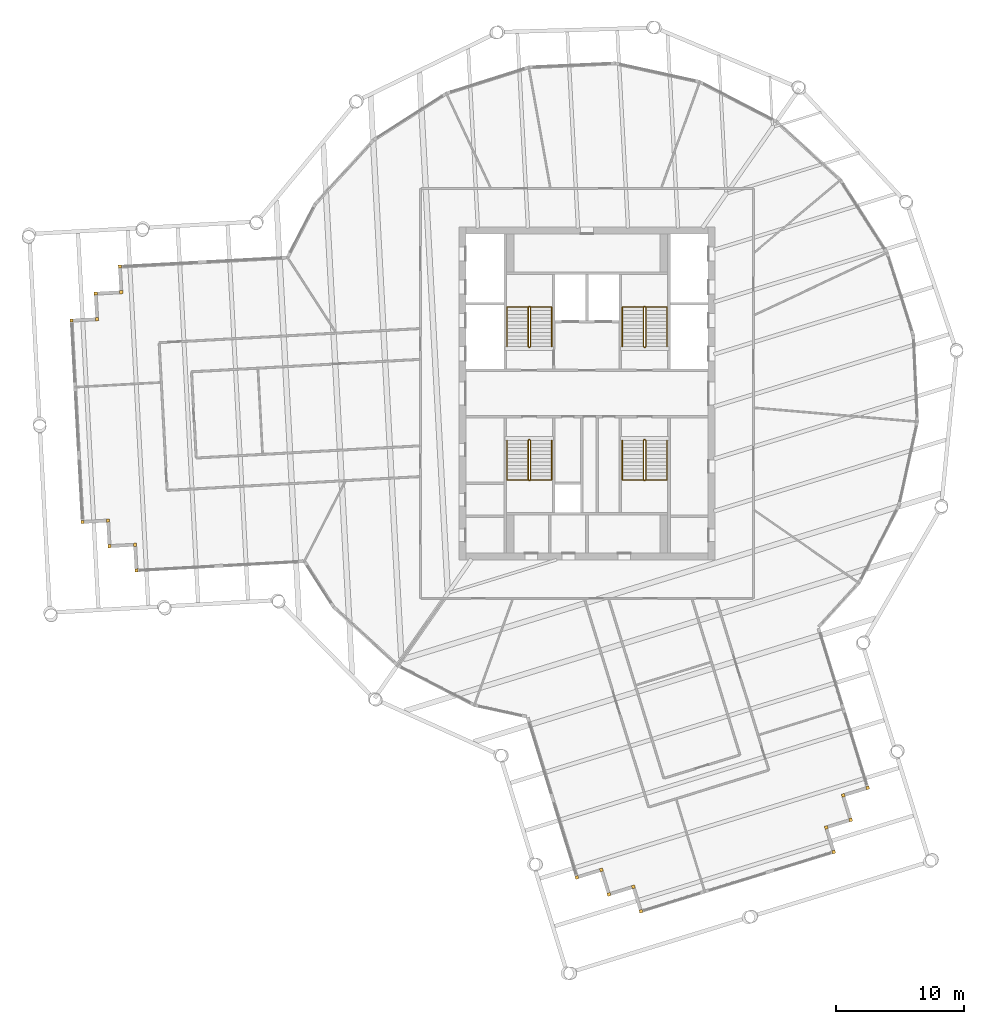
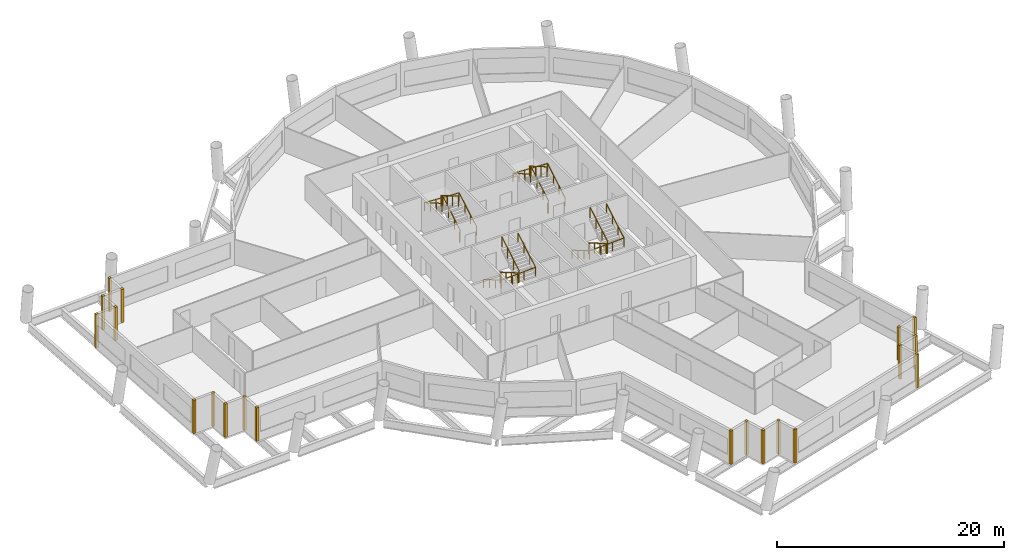
# One storey, part 11 of 11: 20 shading devices, 8 railings.
"""IFC4 building model written with IfcOpenShell, lengths in metres."""

from ifc_helpers import new_model, si_unit, direction, frame, origin, origin_2d, place, context, subcontext, project, spatial, rectangle, circle, extrude, material, type_object, element, save


model = new_model("IFC4")

# Units and contexts
model_context = context("Model", 3, precision=1e-05, world=origin(), true_north=direction((0.0, 1.0)))
body_context = subcontext(model_context, "Body", "Model", "MODEL_VIEW")
ifc_project = project(units=[si_unit("LENGTHUNIT", "METRE"), si_unit("AREAUNIT", "SQUARE_METRE"), si_unit("VOLUMEUNIT", "CUBIC_METRE"), si_unit("PLANEANGLEUNIT", "RADIAN"), si_unit("MASSUNIT", "GRAM", prefix="KILO")], contexts=[model_context])

# Site, building, storey
site_placement = place(None, origin())
site = spatial("IfcSite", under=ifc_project, at=site_placement, CompositionType="ELEMENT")
building_placement = place(site_placement, origin())
building = spatial("IfcBuilding", under=site, at=building_placement, Name="Tarsis Ring Headquarters", CompositionType="ELEMENT")
storey_placement = place(building_placement, frame((0.0, 0.0, 298.10009765625)))
storey = spatial("IfcBuildingStorey", under=building, at=storey_placement, Name="L70", CompositionType="ELEMENT", Elevation=298.10009765625)

# Railings
ifc_material_1 = material(Name="Steel S355", Category="steel")
railing_type_1 = type_object("IfcRailingType", Name="Core stair guard 1100", PredefinedType="GUARDRAIL", material=ifc_material_1)
railing_1_placement = place(storey_placement, frame((-4.5400390625, 3.610107421875, 0.0)))
element("IfcRailing", 1, at=railing_1_placement, inside=storey, type_object=railing_type_1, Name="L70 ST1 stair guard 1", PredefinedType="GUARDRAIL", context=body_context, shape_type="SweptSolid", body=[
    extrude(circle(Radius=0.02392578125, at=origin_2d()), frame((0.0, 0.0, 1.076171875), z_axis=(1.0, 0.0, 0.0), x_axis=(0.0, 1.0, 0.0)), (0.0, 0.0, 1.0), 0.080078125),
    extrude(circle(Radius=0.02392578125, at=origin_2d()), frame((0.080078125, 0.0, 1.076171875), z_axis=(0.282693820306, 0.281314826061, 0.917031173188), x_axis=(-0.705375805398, 0.708833529934, 0.0)), (0.0, 0.0, 1.0), 0.177001953125),
    extrude(circle(Radius=0.02392578125, at=origin_2d()), frame((0.130126953125, 0.0498046875, 1.23828125), z_axis=(0.0, 0.864890721111, 0.501960198159), x_axis=(-1.0, 0.0, 0.0)), (0.0, 0.0, 1.0), 3.561279296875),
    extrude(circle(Radius=0.02392578125, at=origin_2d()), frame((0.130126953125, 3.1298828125, 3.02587890625), z_axis=(-0.707106781187, 0.707106781187, 0.0), x_axis=(-0.707106781187, -0.707106781187, 0.0)), (0.0, 0.0, 1.0), 0.07080078125),
    extrude(circle(Radius=0.02392578125, at=origin_2d()), frame((0.080078125, 3.179931640625, 3.02587890625), z_axis=(-1.0, 0.0, 0.0), x_axis=(0.0, -1.0, 0.0)), (0.0, 0.0, 1.0), 0.080078125),
    extrude(circle(Radius=0.02392578125, at=origin_2d()), frame((0.0, 3.179931640625, 3.02587890625), z_axis=(-0.282583949758, -0.282583949758, 0.916674763849), x_axis=(0.707106781187, -0.707106781187, 0.0)), (0.0, 0.0, 1.0), 0.177001953125),
    extrude(circle(Radius=0.02392578125, at=origin_2d()), frame((-0.050048828125, 3.1298828125, 3.1884765625), z_axis=(0.0, -0.864890721111, 0.501960198159), x_axis=(1.0, 0.0, 0.0)), (0.0, 0.0, 1.0), 3.561279296875),
    extrude(circle(Radius=0.02099609375, at=origin_2d()), origin(), (0.0, 0.0, 1.0), 1.052001953125),
    extrude(circle(Radius=0.02099609375, at=origin_2d()), frame((0.080078125, 0.0, 0.0)), (0.0, 0.0, 1.0), 1.052001953125),
    extrude(circle(Radius=0.02099609375, at=origin_2d()), frame((0.130126953125, 0.0498046875, 0.162353515625)), (0.0, 0.0, 1.0), 1.052001953125),
    extrude(circle(Radius=0.02099609375, at=origin_2d()), frame((0.130126953125, 1.076416015625, 0.75830078125)), (0.0, 0.0, 1.0), 1.052001953125),
    extrude(circle(Radius=0.02099609375, at=origin_2d()), frame((0.130126953125, 2.103271484375, 1.35400390625)), (0.0, 0.0, 1.0), 1.052001953125),
    extrude(circle(Radius=0.02099609375, at=origin_2d()), frame((0.130126953125, 3.1298828125, 1.949951171875)), (0.0, 0.0, 1.0), 1.052001953125),
    extrude(circle(Radius=0.02099609375, at=origin_2d()), frame((0.080078125, 3.179931640625, 1.949951171875)), (0.0, 0.0, 1.0), 1.052001953125),
    extrude(circle(Radius=0.02099609375, at=origin_2d()), frame((0.0, 3.179931640625, 1.949951171875)), (0.0, 0.0, 1.0), 1.052001953125),
    extrude(circle(Radius=0.02099609375, at=origin_2d()), frame((-0.050048828125, 3.1298828125, 2.1123046875)), (0.0, 0.0, 1.0), 1.052001953125),
    extrude(circle(Radius=0.02099609375, at=origin_2d()), frame((-0.050048828125, 2.103271484375, 2.708251953125)), (0.0, 0.0, 1.0), 1.052001953125),
    extrude(circle(Radius=0.02099609375, at=origin_2d()), frame((-0.050048828125, 1.076416015625, 3.303955078125)), (0.0, 0.0, 1.0), 1.052001953125),
    extrude(circle(Radius=0.02099609375, at=origin_2d()), frame((-0.050048828125, 0.0498046875, 3.89990234375)), (0.0, 0.0, 1.0), 1.052001953125),
])
railing_2_placement = place(storey_placement, frame((4.4599609375, 3.610107421875, 0.0)))
element("IfcRailing", 2, at=railing_2_placement, inside=storey, type_object=railing_type_1, Name="L70 ST2 stair guard 1", PredefinedType="GUARDRAIL", context=body_context, shape_type="SweptSolid", body=[
    extrude(circle(Radius=0.02392578125, at=origin_2d()), frame((0.0, 0.0, 1.076171875), z_axis=(1.0, 0.0, 0.0), x_axis=(0.0, 1.0, 0.0)), (0.0, 0.0, 1.0), 0.080078125),
    extrude(circle(Radius=0.02392578125, at=origin_2d()), frame((0.080078125, 0.0, 1.076171875), z_axis=(0.282693820306, 0.281314826061, 0.917031173188), x_axis=(-0.705375805398, 0.708833529934, 0.0)), (0.0, 0.0, 1.0), 0.177001953125),
    extrude(circle(Radius=0.02392578125, at=origin_2d()), frame((0.130126953125, 0.0498046875, 1.23828125), z_axis=(0.0, 0.864890721111, 0.501960198159), x_axis=(-1.0, 0.0, 0.0)), (0.0, 0.0, 1.0), 3.561279296875),
    extrude(circle(Radius=0.02392578125, at=origin_2d()), frame((0.130126953125, 3.1298828125, 3.02587890625), z_axis=(-0.707106781187, 0.707106781187, 0.0), x_axis=(-0.707106781187, -0.707106781187, 0.0)), (0.0, 0.0, 1.0), 0.07080078125),
    extrude(circle(Radius=0.02392578125, at=origin_2d()), frame((0.080078125, 3.179931640625, 3.02587890625), z_axis=(-1.0, 0.0, 0.0), x_axis=(0.0, -1.0, 0.0)), (0.0, 0.0, 1.0), 0.080078125),
    extrude(circle(Radius=0.02392578125, at=origin_2d()), frame((0.0, 3.179931640625, 3.02587890625), z_axis=(-0.282583949758, -0.282583949758, 0.916674763849), x_axis=(0.707106781187, -0.707106781187, 0.0)), (0.0, 0.0, 1.0), 0.177001953125),
    extrude(circle(Radius=0.02392578125, at=origin_2d()), frame((-0.050048828125, 3.1298828125, 3.1884765625), z_axis=(0.0, -0.864890721111, 0.501960198159), x_axis=(1.0, 0.0, 0.0)), (0.0, 0.0, 1.0), 3.561279296875),
    extrude(circle(Radius=0.02099609375, at=origin_2d()), origin(), (0.0, 0.0, 1.0), 1.052001953125),
    extrude(circle(Radius=0.02099609375, at=origin_2d()), frame((0.080078125, 0.0, 0.0)), (0.0, 0.0, 1.0), 1.052001953125),
    extrude(circle(Radius=0.02099609375, at=origin_2d()), frame((0.130126953125, 0.0498046875, 0.162353515625)), (0.0, 0.0, 1.0), 1.052001953125),
    extrude(circle(Radius=0.02099609375, at=origin_2d()), frame((0.130126953125, 1.076416015625, 0.75830078125)), (0.0, 0.0, 1.0), 1.052001953125),
    extrude(circle(Radius=0.02099609375, at=origin_2d()), frame((0.130126953125, 2.103271484375, 1.35400390625)), (0.0, 0.0, 1.0), 1.052001953125),
    extrude(circle(Radius=0.02099609375, at=origin_2d()), frame((0.130126953125, 3.1298828125, 1.949951171875)), (0.0, 0.0, 1.0), 1.052001953125),
    extrude(circle(Radius=0.02099609375, at=origin_2d()), frame((0.080078125, 3.179931640625, 1.949951171875)), (0.0, 0.0, 1.0), 1.052001953125),
    extrude(circle(Radius=0.02099609375, at=origin_2d()), frame((0.0, 3.179931640625, 1.949951171875)), (0.0, 0.0, 1.0), 1.052001953125),
    extrude(circle(Radius=0.02099609375, at=origin_2d()), frame((-0.050048828125, 3.1298828125, 2.1123046875)), (0.0, 0.0, 1.0), 1.052001953125),
    extrude(circle(Radius=0.02099609375, at=origin_2d()), frame((-0.050048828125, 2.103271484375, 2.708251953125)), (0.0, 0.0, 1.0), 1.052001953125),
    extrude(circle(Radius=0.02099609375, at=origin_2d()), frame((-0.050048828125, 1.076416015625, 3.303955078125)), (0.0, 0.0, 1.0), 1.052001953125),
    extrude(circle(Radius=0.02099609375, at=origin_2d()), frame((-0.050048828125, 0.0498046875, 3.89990234375)), (0.0, 0.0, 1.0), 1.052001953125),
])
railing_3_placement = place(storey_placement, frame((-4.4599609375, -3.610107421875, 0.0)))
element("IfcRailing", 3, at=railing_3_placement, inside=storey, type_object=railing_type_1, Name="L70 ST3 stair guard 1", PredefinedType="GUARDRAIL", context=body_context, shape_type="SweptSolid", body=[
    extrude(circle(Radius=0.02392578125, at=origin_2d()), frame((0.0, 0.0, 1.076171875), z_axis=(-1.0, 0.0, 0.0), x_axis=(0.0, -1.0, 0.0)), (0.0, 0.0, 1.0), 0.080078125),
    extrude(circle(Radius=0.02392578125, at=origin_2d()), frame((-0.080078125, 0.0, 1.076171875), z_axis=(-0.282693820306, -0.281314826061, 0.917031173188), x_axis=(0.705375805398, -0.708833529934, 0.0)), (0.0, 0.0, 1.0), 0.177001953125),
    extrude(circle(Radius=0.02392578125, at=origin_2d()), frame((-0.130126953125, -0.0498046875, 1.23828125), z_axis=(0.0, -0.864890721111, 0.501960198159), x_axis=(1.0, 0.0, 0.0)), (0.0, 0.0, 1.0), 3.561279296875),
    extrude(circle(Radius=0.02392578125, at=origin_2d()), frame((-0.130126953125, -3.1298828125, 3.02587890625), z_axis=(0.707106781187, -0.707106781187, 0.0), x_axis=(0.707106781187, 0.707106781187, 0.0)), (0.0, 0.0, 1.0), 0.07080078125),
    extrude(circle(Radius=0.02392578125, at=origin_2d()), frame((-0.080078125, -3.179931640625, 3.02587890625), z_axis=(1.0, 0.0, 0.0), x_axis=(0.0, 1.0, 0.0)), (0.0, 0.0, 1.0), 0.080078125),
    extrude(circle(Radius=0.02392578125, at=origin_2d()), frame((0.0, -3.179931640625, 3.02587890625), z_axis=(0.282583949758, 0.282583949758, 0.916674763849), x_axis=(-0.707106781187, 0.707106781187, 0.0)), (0.0, 0.0, 1.0), 0.177001953125),
    extrude(circle(Radius=0.02392578125, at=origin_2d()), frame((0.050048828125, -3.1298828125, 3.1884765625), z_axis=(0.0, 0.864890721111, 0.501960198159), x_axis=(-1.0, 0.0, 0.0)), (0.0, 0.0, 1.0), 3.561279296875),
    extrude(circle(Radius=0.02099609375, at=origin_2d()), origin(), (0.0, 0.0, 1.0), 1.052001953125),
    extrude(circle(Radius=0.02099609375, at=origin_2d()), frame((-0.080078125, 0.0, 0.0)), (0.0, 0.0, 1.0), 1.052001953125),
    extrude(circle(Radius=0.02099609375, at=origin_2d()), frame((-0.130126953125, -0.0498046875, 0.162353515625)), (0.0, 0.0, 1.0), 1.052001953125),
    extrude(circle(Radius=0.02099609375, at=origin_2d()), frame((-0.130126953125, -1.076416015625, 0.75830078125)), (0.0, 0.0, 1.0), 1.052001953125),
    extrude(circle(Radius=0.02099609375, at=origin_2d()), frame((-0.130126953125, -2.103271484375, 1.35400390625)), (0.0, 0.0, 1.0), 1.052001953125),
    extrude(circle(Radius=0.02099609375, at=origin_2d()), frame((-0.130126953125, -3.1298828125, 1.949951171875)), (0.0, 0.0, 1.0), 1.052001953125),
    extrude(circle(Radius=0.02099609375, at=origin_2d()), frame((-0.080078125, -3.179931640625, 1.949951171875)), (0.0, 0.0, 1.0), 1.052001953125),
    extrude(circle(Radius=0.02099609375, at=origin_2d()), frame((0.0, -3.179931640625, 1.949951171875)), (0.0, 0.0, 1.0), 1.052001953125),
    extrude(circle(Radius=0.02099609375, at=origin_2d()), frame((0.050048828125, -3.1298828125, 2.1123046875)), (0.0, 0.0, 1.0), 1.052001953125),
    extrude(circle(Radius=0.02099609375, at=origin_2d()), frame((0.050048828125, -2.103271484375, 2.708251953125)), (0.0, 0.0, 1.0), 1.052001953125),
    extrude(circle(Radius=0.02099609375, at=origin_2d()), frame((0.050048828125, -1.076416015625, 3.303955078125)), (0.0, 0.0, 1.0), 1.052001953125),
    extrude(circle(Radius=0.02099609375, at=origin_2d()), frame((0.050048828125, -0.0498046875, 3.89990234375)), (0.0, 0.0, 1.0), 1.052001953125),
])
railing_4_placement = place(storey_placement, frame((4.5400390625, -3.610107421875, 0.0)))
element("IfcRailing", 4, at=railing_4_placement, inside=storey, type_object=railing_type_1, Name="L70 ST4 stair guard 1", PredefinedType="GUARDRAIL", context=body_context, shape_type="SweptSolid", body=[
    extrude(circle(Radius=0.02392578125, at=origin_2d()), frame((0.0, 0.0, 1.076171875), z_axis=(-1.0, 0.0, 0.0), x_axis=(0.0, -1.0, 0.0)), (0.0, 0.0, 1.0), 0.080078125),
    extrude(circle(Radius=0.02392578125, at=origin_2d()), frame((-0.080078125, 0.0, 1.076171875), z_axis=(-0.282693820306, -0.281314826061, 0.917031173188), x_axis=(0.705375805398, -0.708833529934, 0.0)), (0.0, 0.0, 1.0), 0.177001953125),
    extrude(circle(Radius=0.02392578125, at=origin_2d()), frame((-0.130126953125, -0.0498046875, 1.23828125), z_axis=(0.0, -0.864890721111, 0.501960198159), x_axis=(1.0, 0.0, 0.0)), (0.0, 0.0, 1.0), 3.561279296875),
    extrude(circle(Radius=0.02392578125, at=origin_2d()), frame((-0.130126953125, -3.1298828125, 3.02587890625), z_axis=(0.707106781187, -0.707106781187, 0.0), x_axis=(0.707106781187, 0.707106781187, 0.0)), (0.0, 0.0, 1.0), 0.07080078125),
    extrude(circle(Radius=0.02392578125, at=origin_2d()), frame((-0.080078125, -3.179931640625, 3.02587890625), z_axis=(1.0, 0.0, 0.0), x_axis=(0.0, 1.0, 0.0)), (0.0, 0.0, 1.0), 0.080078125),
    extrude(circle(Radius=0.02392578125, at=origin_2d()), frame((0.0, -3.179931640625, 3.02587890625), z_axis=(0.282583949758, 0.282583949758, 0.916674763849), x_axis=(-0.707106781187, 0.707106781187, 0.0)), (0.0, 0.0, 1.0), 0.177001953125),
    extrude(circle(Radius=0.02392578125, at=origin_2d()), frame((0.050048828125, -3.1298828125, 3.1884765625), z_axis=(0.0, 0.864890721111, 0.501960198159), x_axis=(-1.0, 0.0, 0.0)), (0.0, 0.0, 1.0), 3.561279296875),
    extrude(circle(Radius=0.02099609375, at=origin_2d()), origin(), (0.0, 0.0, 1.0), 1.052001953125),
    extrude(circle(Radius=0.02099609375, at=origin_2d()), frame((-0.080078125, 0.0, 0.0)), (0.0, 0.0, 1.0), 1.052001953125),
    extrude(circle(Radius=0.02099609375, at=origin_2d()), frame((-0.130126953125, -0.0498046875, 0.162353515625)), (0.0, 0.0, 1.0), 1.052001953125),
    extrude(circle(Radius=0.02099609375, at=origin_2d()), frame((-0.130126953125, -1.076416015625, 0.75830078125)), (0.0, 0.0, 1.0), 1.052001953125),
    extrude(circle(Radius=0.02099609375, at=origin_2d()), frame((-0.130126953125, -2.103271484375, 1.35400390625)), (0.0, 0.0, 1.0), 1.052001953125),
    extrude(circle(Radius=0.02099609375, at=origin_2d()), frame((-0.130126953125, -3.1298828125, 1.949951171875)), (0.0, 0.0, 1.0), 1.052001953125),
    extrude(circle(Radius=0.02099609375, at=origin_2d()), frame((-0.080078125, -3.179931640625, 1.949951171875)), (0.0, 0.0, 1.0), 1.052001953125),
    extrude(circle(Radius=0.02099609375, at=origin_2d()), frame((0.0, -3.179931640625, 1.949951171875)), (0.0, 0.0, 1.0), 1.052001953125),
    extrude(circle(Radius=0.02099609375, at=origin_2d()), frame((0.050048828125, -3.1298828125, 2.1123046875)), (0.0, 0.0, 1.0), 1.052001953125),
    extrude(circle(Radius=0.02099609375, at=origin_2d()), frame((0.050048828125, -2.103271484375, 2.708251953125)), (0.0, 0.0, 1.0), 1.052001953125),
    extrude(circle(Radius=0.02099609375, at=origin_2d()), frame((0.050048828125, -1.076416015625, 3.303955078125)), (0.0, 0.0, 1.0), 1.052001953125),
    extrude(circle(Radius=0.02099609375, at=origin_2d()), frame((0.050048828125, -0.0498046875, 3.89990234375)), (0.0, 0.0, 1.0), 1.052001953125),
])
railing_type_2 = type_object("IfcRailingType", Name="Core stair handrail 900", PredefinedType="HANDRAIL", material=ifc_material_1)
railing_5_placement = place(storey_placement, frame((-2.75, 3.659912109375, 0.162353515625)))
element("IfcRailing", 5, at=railing_5_placement, inside=storey, type_object=railing_type_2, Name="L70 ST1 stair handrail 1", PredefinedType="HANDRAIL", context=body_context, shape_type="SweptSolid", body=[
    extrude(circle(Radius=0.02392578125, at=origin_2d()), frame((0.0, 0.0, 0.8759765625), z_axis=(0.0, 0.864890721111, 0.501960198159), x_axis=(-1.0, 0.0, 0.0)), (0.0, 0.0, 1.0), 3.561279296875),
    extrude(circle(Radius=0.02392578125, at=origin_2d()), frame((0.0, 3.080078125, 2.66357421875), z_axis=(-0.998925869279, 0.0, 0.04633689335), x_axis=(0.0, -1.0, 0.0)), (0.0, 0.0, 1.0), 3.503662109375),
    extrude(circle(Radius=0.02392578125, at=origin_2d()), frame((-3.5, 3.080078125, 2.82568359375), z_axis=(0.0, -0.864890721111, 0.501960198159), x_axis=(1.0, 0.0, 0.0)), (0.0, 0.0, 1.0), 3.561279296875),
    extrude(circle(Radius=0.02099609375, at=origin_2d()), origin(), (0.0, 0.0, 1.0), 0.851806640625),
    extrude(circle(Radius=0.02099609375, at=origin_2d()), frame((0.0, 1.026611328125, 0.595947265625)), (0.0, 0.0, 1.0), 0.851806640625),
    extrude(circle(Radius=0.02099609375, at=origin_2d()), frame((0.0, 2.053466796875, 1.191650390625)), (0.0, 0.0, 1.0), 0.851806640625),
    extrude(circle(Radius=0.02099609375, at=origin_2d()), frame((0.0, 3.080078125, 1.78759765625)), (0.0, 0.0, 1.0), 0.851806640625),
    extrude(circle(Radius=0.02099609375, at=origin_2d()), frame((-1.166748046875, 3.080078125, 1.841796875)), (0.0, 0.0, 1.0), 0.851806640625),
    extrude(circle(Radius=0.02099609375, at=origin_2d()), frame((-2.333251953125, 3.080078125, 1.895751953125)), (0.0, 0.0, 1.0), 0.851806640625),
    extrude(circle(Radius=0.02099609375, at=origin_2d()), frame((-3.5, 3.080078125, 1.949951171875)), (0.0, 0.0, 1.0), 0.851806640625),
    extrude(circle(Radius=0.02099609375, at=origin_2d()), frame((-3.5, 2.053466796875, 2.5458984375)), (0.0, 0.0, 1.0), 0.851806640625),
    extrude(circle(Radius=0.02099609375, at=origin_2d()), frame((-3.5, 1.026611328125, 3.1416015625)), (0.0, 0.0, 1.0), 0.851806640625),
    extrude(circle(Radius=0.02099609375, at=origin_2d()), frame((-3.5, 0.0, 3.737548828125)), (0.0, 0.0, 1.0), 0.851806640625),
])
railing_6_placement = place(storey_placement, frame((6.25, 3.659912109375, 0.162353515625)))
element("IfcRailing", 6, at=railing_6_placement, inside=storey, type_object=railing_type_2, Name="L70 ST2 stair handrail 1", PredefinedType="HANDRAIL", context=body_context, shape_type="SweptSolid", body=[
    extrude(circle(Radius=0.02392578125, at=origin_2d()), frame((0.0, 0.0, 0.8759765625), z_axis=(0.0, 0.864890721111, 0.501960198159), x_axis=(-1.0, 0.0, 0.0)), (0.0, 0.0, 1.0), 3.561279296875),
    extrude(circle(Radius=0.02392578125, at=origin_2d()), frame((0.0, 3.080078125, 2.66357421875), z_axis=(-0.998925869279, 0.0, 0.04633689335), x_axis=(0.0, -1.0, 0.0)), (0.0, 0.0, 1.0), 3.503662109375),
    extrude(circle(Radius=0.02392578125, at=origin_2d()), frame((-3.5, 3.080078125, 2.82568359375), z_axis=(0.0, -0.864890721111, 0.501960198159), x_axis=(1.0, 0.0, 0.0)), (0.0, 0.0, 1.0), 3.561279296875),
    extrude(circle(Radius=0.02099609375, at=origin_2d()), origin(), (0.0, 0.0, 1.0), 0.851806640625),
    extrude(circle(Radius=0.02099609375, at=origin_2d()), frame((0.0, 1.026611328125, 0.595947265625)), (0.0, 0.0, 1.0), 0.851806640625),
    extrude(circle(Radius=0.02099609375, at=origin_2d()), frame((0.0, 2.053466796875, 1.191650390625)), (0.0, 0.0, 1.0), 0.851806640625),
    extrude(circle(Radius=0.02099609375, at=origin_2d()), frame((0.0, 3.080078125, 1.78759765625)), (0.0, 0.0, 1.0), 0.851806640625),
    extrude(circle(Radius=0.02099609375, at=origin_2d()), frame((-1.166748046875, 3.080078125, 1.841796875)), (0.0, 0.0, 1.0), 0.851806640625),
    extrude(circle(Radius=0.02099609375, at=origin_2d()), frame((-2.333251953125, 3.080078125, 1.895751953125)), (0.0, 0.0, 1.0), 0.851806640625),
    extrude(circle(Radius=0.02099609375, at=origin_2d()), frame((-3.5, 3.080078125, 1.949951171875)), (0.0, 0.0, 1.0), 0.851806640625),
    extrude(circle(Radius=0.02099609375, at=origin_2d()), frame((-3.5, 2.053466796875, 2.5458984375)), (0.0, 0.0, 1.0), 0.851806640625),
    extrude(circle(Radius=0.02099609375, at=origin_2d()), frame((-3.5, 1.026611328125, 3.1416015625)), (0.0, 0.0, 1.0), 0.851806640625),
    extrude(circle(Radius=0.02099609375, at=origin_2d()), frame((-3.5, 0.0, 3.737548828125)), (0.0, 0.0, 1.0), 0.851806640625),
])
railing_7_placement = place(storey_placement, frame((-6.25, -3.659912109375, 0.162353515625)))
element("IfcRailing", 7, at=railing_7_placement, inside=storey, type_object=railing_type_2, Name="L70 ST3 stair handrail 1", PredefinedType="HANDRAIL", context=body_context, shape_type="SweptSolid", body=[
    extrude(circle(Radius=0.02392578125, at=origin_2d()), frame((0.0, 0.0, 0.8759765625), z_axis=(0.0, -0.864890721111, 0.501960198159), x_axis=(1.0, 0.0, 0.0)), (0.0, 0.0, 1.0), 3.561279296875),
    extrude(circle(Radius=0.02392578125, at=origin_2d()), frame((0.0, -3.080078125, 2.66357421875), z_axis=(0.998925869279, 0.0, 0.04633689335), x_axis=(0.0, 1.0, 0.0)), (0.0, 0.0, 1.0), 3.503662109375),
    extrude(circle(Radius=0.02392578125, at=origin_2d()), frame((3.5, -3.080078125, 2.82568359375), z_axis=(0.0, 0.864890721111, 0.501960198159), x_axis=(-1.0, 0.0, 0.0)), (0.0, 0.0, 1.0), 3.561279296875),
    extrude(circle(Radius=0.02099609375, at=origin_2d()), origin(), (0.0, 0.0, 1.0), 0.851806640625),
    extrude(circle(Radius=0.02099609375, at=origin_2d()), frame((0.0, -1.026611328125, 0.595947265625)), (0.0, 0.0, 1.0), 0.851806640625),
    extrude(circle(Radius=0.02099609375, at=origin_2d()), frame((0.0, -2.053466796875, 1.191650390625)), (0.0, 0.0, 1.0), 0.851806640625),
    extrude(circle(Radius=0.02099609375, at=origin_2d()), frame((0.0, -3.080078125, 1.78759765625)), (0.0, 0.0, 1.0), 0.851806640625),
    extrude(circle(Radius=0.02099609375, at=origin_2d()), frame((1.166748046875, -3.080078125, 1.841796875)), (0.0, 0.0, 1.0), 0.851806640625),
    extrude(circle(Radius=0.02099609375, at=origin_2d()), frame((2.333251953125, -3.080078125, 1.895751953125)), (0.0, 0.0, 1.0), 0.851806640625),
    extrude(circle(Radius=0.02099609375, at=origin_2d()), frame((3.5, -3.080078125, 1.949951171875)), (0.0, 0.0, 1.0), 0.851806640625),
    extrude(circle(Radius=0.02099609375, at=origin_2d()), frame((3.5, -2.053466796875, 2.5458984375)), (0.0, 0.0, 1.0), 0.851806640625),
    extrude(circle(Radius=0.02099609375, at=origin_2d()), frame((3.5, -1.026611328125, 3.1416015625)), (0.0, 0.0, 1.0), 0.851806640625),
    extrude(circle(Radius=0.02099609375, at=origin_2d()), frame((3.5, 0.0, 3.737548828125)), (0.0, 0.0, 1.0), 0.851806640625),
])
railing_8_placement = place(storey_placement, frame((2.75, -3.659912109375, 0.162353515625)))
element("IfcRailing", 8, at=railing_8_placement, inside=storey, type_object=railing_type_2, Name="L70 ST4 stair handrail 1", PredefinedType="HANDRAIL", context=body_context, shape_type="SweptSolid", body=[
    extrude(circle(Radius=0.02392578125, at=origin_2d()), frame((0.0, 0.0, 0.8759765625), z_axis=(0.0, -0.864890721111, 0.501960198159), x_axis=(1.0, 0.0, 0.0)), (0.0, 0.0, 1.0), 3.561279296875),
    extrude(circle(Radius=0.02392578125, at=origin_2d()), frame((0.0, -3.080078125, 2.66357421875), z_axis=(0.998925869279, 0.0, 0.04633689335), x_axis=(0.0, 1.0, 0.0)), (0.0, 0.0, 1.0), 3.503662109375),
    extrude(circle(Radius=0.02392578125, at=origin_2d()), frame((3.5, -3.080078125, 2.82568359375), z_axis=(0.0, 0.864890721111, 0.501960198159), x_axis=(-1.0, 0.0, 0.0)), (0.0, 0.0, 1.0), 3.561279296875),
    extrude(circle(Radius=0.02099609375, at=origin_2d()), origin(), (0.0, 0.0, 1.0), 0.851806640625),
    extrude(circle(Radius=0.02099609375, at=origin_2d()), frame((0.0, -1.026611328125, 0.595947265625)), (0.0, 0.0, 1.0), 0.851806640625),
    extrude(circle(Radius=0.02099609375, at=origin_2d()), frame((0.0, -2.053466796875, 1.191650390625)), (0.0, 0.0, 1.0), 0.851806640625),
    extrude(circle(Radius=0.02099609375, at=origin_2d()), frame((0.0, -3.080078125, 1.78759765625)), (0.0, 0.0, 1.0), 0.851806640625),
    extrude(circle(Radius=0.02099609375, at=origin_2d()), frame((1.166748046875, -3.080078125, 1.841796875)), (0.0, 0.0, 1.0), 0.851806640625),
    extrude(circle(Radius=0.02099609375, at=origin_2d()), frame((2.333251953125, -3.080078125, 1.895751953125)), (0.0, 0.0, 1.0), 0.851806640625),
    extrude(circle(Radius=0.02099609375, at=origin_2d()), frame((3.5, -3.080078125, 1.949951171875)), (0.0, 0.0, 1.0), 0.851806640625),
    extrude(circle(Radius=0.02099609375, at=origin_2d()), frame((3.5, -2.053466796875, 2.5458984375)), (0.0, 0.0, 1.0), 0.851806640625),
    extrude(circle(Radius=0.02099609375, at=origin_2d()), frame((3.5, -1.026611328125, 3.1416015625)), (0.0, 0.0, 1.0), 0.851806640625),
    extrude(circle(Radius=0.02099609375, at=origin_2d()), frame((3.5, 0.0, 3.737548828125)), (0.0, 0.0, 1.0), 0.851806640625),
])

# Shading devices
ifc_material_2 = material(Name="Terracotta baguette", Category="masonry")
shading_device_type = type_object("IfcShadingDeviceType", Name="Terracotta corner baguette 250x250", PredefinedType="USERDEFINED", material=ifc_material_2)
for number, where, z_axis, x_axis, name in (
    (9, (-35.175537109375, -13.81005859375, -0.000244140625), (0.0, 0.0, 1.0), (0.054427504154, -0.998517724826, 0.0), "Corner baguette L70-01"),
    (10, (-0.7880859375, -37.781005859375, -0.000244140625), (0.0, 0.0, 1.0), (0.294373942013, -0.955690317134, 0.0), "Corner baguette L70-07"),
    (11, (1.123291015625, -37.1923828125, -0.000244140625), (0.0, 0.0, 1.0), (0.955690414752, 0.294373625094, 0.0), "Corner baguette L70-08"),
    (12, (1.7119140625, -39.103759765625, -0.000244140625), (0.0, 0.0, 1.0), (0.294373942013, -0.955690317134, 0.0), "Corner baguette L70-09"),
    (13, (3.623291015625, -38.514892578125, -0.000244140625), (0.0, 0.0, 1.0), (0.955690317134, 0.294373942013, 0.0), "Corner baguette L70-10"),
    (14, (4.212158203125, -40.42626953125, -0.000244140625), (0.0, 0.0, 1.0), (0.294374092133, -0.955690270894, 0.0), "Corner baguette L70-11"),
    (15, (19.26416015625, -35.7900390625, -0.000244140625), (0.0, 0.0, 1.0), (0.955690317134, 0.294373942013, 0.0), "Corner baguette L70-12"),
    (16, (18.675537109375, -33.878662109375, -0.000244140625), (0.0, 0.0, 1.0), (-0.294373942013, 0.955690317134, 0.0), "Corner baguette L70-13"),
    (17, (20.5869140625, -33.289794921875, -0.000244140625), (0.0, 0.0, 1.0), (0.955690414752, 0.294373625094, 0.0), "Corner baguette L70-14"),
    (18, (19.998046875, -31.37841796875, -0.000244140625), (0.0, 0.0, 1.0), (-0.294373491655, 0.955690455854, 0.0), "Corner baguette L70-15"),
    (19, (21.909423828125, -30.789794921875, -0.000244140625), (0.0, 0.0, 1.0), (0.955690317134, 0.294373942013, 0.0), "Corner baguette L70-16"),
    (20, (-36.46826171875, 9.90478515625, -0.000244140625), (0.0, 0.0, 1.0), (-0.998517730526, -0.05442739959, 0.0), "Corner baguette L70-32"),
    (21, (-36.359375, 7.90771484375, -0.000244140625), (0.0, 0.0, 1.0), (0.054427486727, -0.998517725776, 0.0), "Corner baguette L70-33"),
    (22, (-38.3564453125, 7.798828125, -0.000244140625), (0.0, 0.0, 1.0), (-0.998517724826, -0.054427504154, 0.0), "Corner baguette L70-34"),
    (23, (-38.24755859375, 5.802001953125, -0.000244140625), (0.0, 0.0, 1.0), (0.054427504154, -0.998517724826, 0.0), "Corner baguette L70-35"),
    (24, (-40.24462890625, 5.693115234375, -0.000244140625), (0.0, 0.0, 1.0), (-0.998517725776, -0.054427486727, 0.0), "Corner baguette L70-36"),
    (25, (-39.38720703125, -10.03369140625, -0.000244140625), (0.0, 0.0, 1.0), (0.054427382162, -0.998517731475, 0.0), "Corner baguette L70-37"),
    (26, (-37.39013671875, -9.9248046875, -0.000244140625), (0.0, 0.0, 1.0), (0.998517724826, 0.054427504154, 0.0), "Corner baguette L70-38"),
    (27, (-37.281494140625, -11.921875, -0.000244140625), (0.0, 0.0, 1.0), (0.054427016187, -0.998517751424, 0.0), "Corner baguette L70-39"),
    (28, (-35.284423828125, -11.81298828125, -0.000244140625), (0.0, 0.0, 1.0), (0.998517753324, 0.054426981332, 0.0), "Corner baguette L70-40"),
):
    element("IfcShadingDevice", number, at=place(storey_placement, frame(where, z_axis=z_axis, x_axis=x_axis)), inside=storey, type_object=shading_device_type, Name=name, ObjectType="Terracotta corner baguette", PredefinedType="USERDEFINED", context=body_context, shape_type="SweptSolid", body=[
        extrude(rectangle(XDim=0.25, YDim=0.25, at=origin_2d()), origin(), (0.0, 0.0, 1.0), 3.60009765625),
    ])

save(model, "model.ifc")
